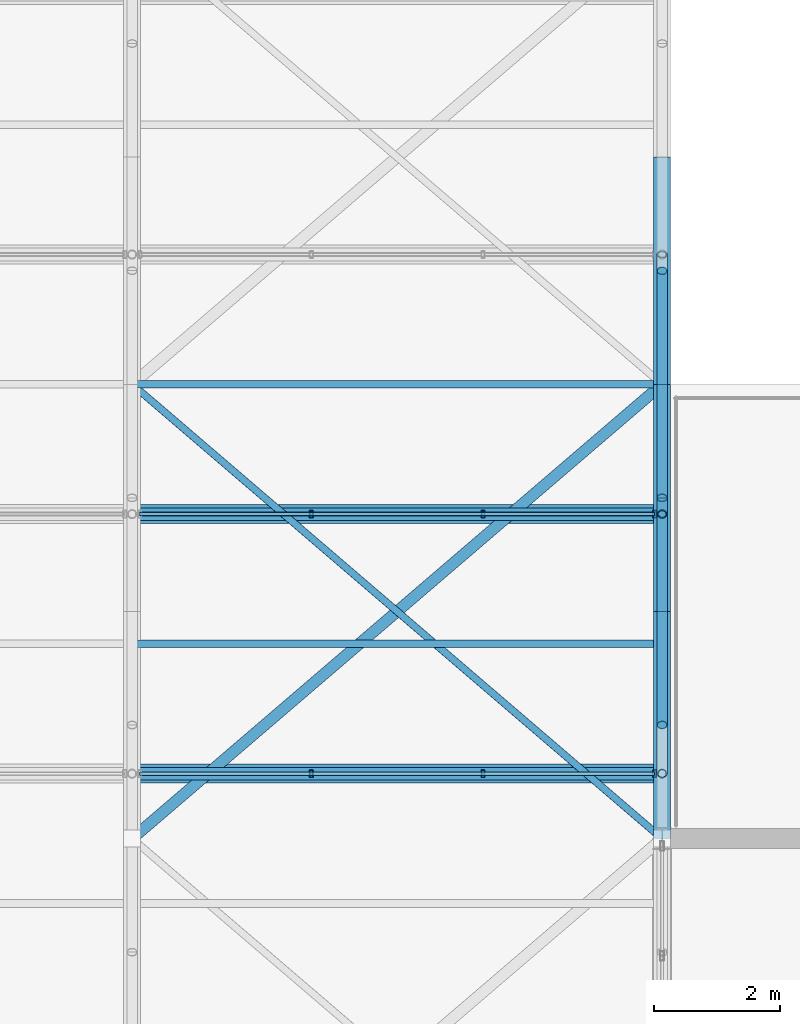
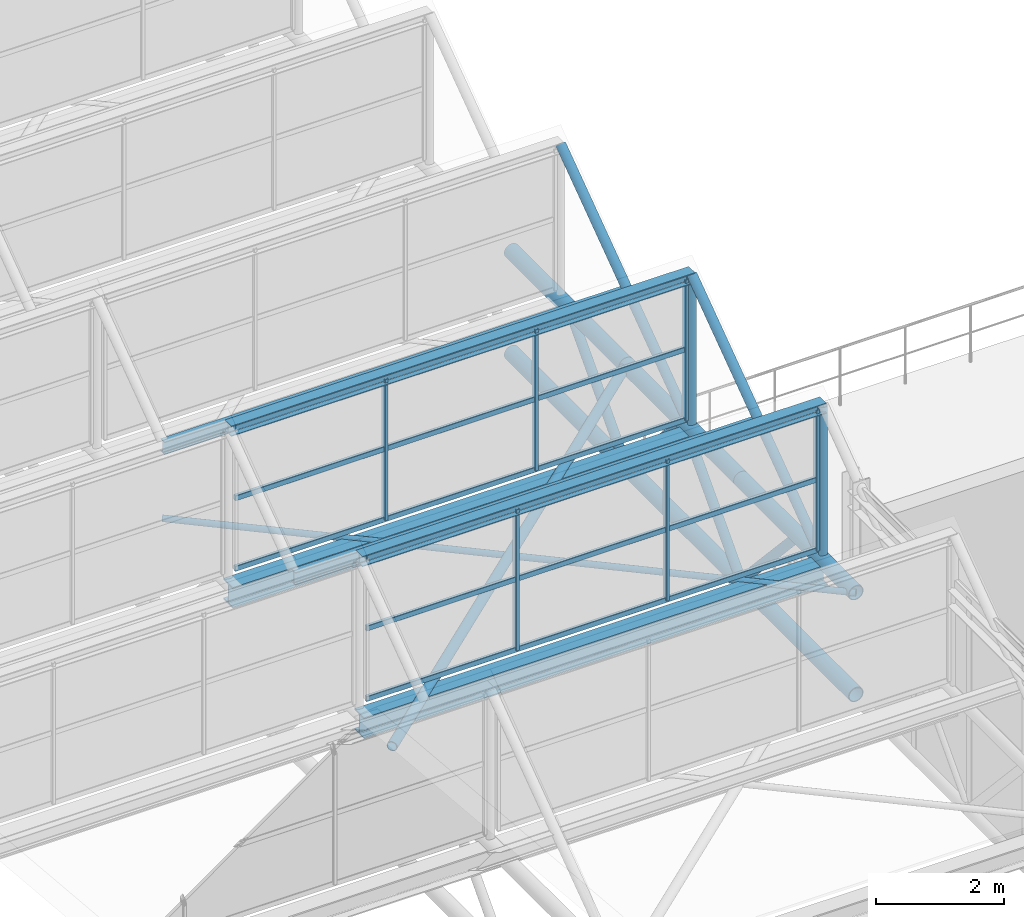
# One storey, part 88 of 134: 28 members, 6 beams, 2 elements without a shape of their own.
"""IFC4 building model written with IfcOpenShell, lengths in metres."""

from ifc_helpers import new_model, si_unit, derived_unit, direction, frame, origin, origin_2d, place, context, subcontext, project, spatial, hollow_rectangle, hollow_circle, i_section, extrude, material, material_profile, profile_set, type_object, element, aggregate, save


model = new_model("IFC4")

# Units and contexts
model_context = context("Model", 3, precision=1e-05, world=origin(), true_north=direction((0.0, 1.0)))
body_context = subcontext(model_context, "Body", "Model", "MODEL_VIEW")
ifc_project = project(units=[si_unit("LENGTHUNIT", "METRE"), si_unit("AREAUNIT", "SQUARE_METRE"), si_unit("VOLUMEUNIT", "CUBIC_METRE"), si_unit("PLANEANGLEUNIT", "RADIAN"), si_unit("MASSUNIT", "GRAM", prefix="KILO"), derived_unit("THERMALTRANSMITTANCEUNIT", [(si_unit("MASSUNIT", "GRAM", prefix="KILO"), 1), (si_unit("TIMEUNIT", "SECOND"), -3), (si_unit("THERMODYNAMICTEMPERATUREUNIT", "KELVIN"), -1)])], contexts=[model_context])

# Site, building, storey
site_placement = place(None, origin())
site = spatial("IfcSite", under=ifc_project, at=site_placement, CompositionType="ELEMENT")
building_placement = place(site_placement, origin())
building = spatial("IfcBuilding", under=site, at=building_placement, Name="Kharveza Railside Sports Centre", CompositionType="ELEMENT")
storey_placement = place(building_placement, frame((0.0, 0.0, 12.89990234375)))
storey = spatial("IfcBuildingStorey", under=building, at=storey_placement, Name="L03", CompositionType="ELEMENT", Elevation=12.89990234375)

# Beams
ifc_material_1 = material(Name="Steel S355J2", Category="steel")
ifc_material_profile_1 = material_profile(ifc_material_1, i_section(OverallWidth=0.300048828125, OverallDepth=0.39990234375, WebThickness=0.013427734375, FlangeThickness=0.02392578125, FilletRadius=0.027099609375, at=origin_2d()), Name="HEB 400")
ifc_profile_set_1 = profile_set([ifc_material_profile_1], Name="Steel S355J2")
beam_type_1 = type_object("IfcBeamType", Name="BM-G07", PredefinedType="T_BEAM", material=ifc_profile_set_1)
for number, where, z_axis, x_axis, name in (
    (1, (134.39990234375, 87.4287109375, 1.760009765625), (1.0, 0.0, 0.0), (0.0, 1.0, 0.0), "BM-V2SAW-VAL-3-6"),
    (2, (134.39990234375, 91.54296875, 1.760009765625), (1.0, 0.0, 0.0), (0.0, 1.0, 0.0), "BM-V2SAW-VAL-4-6"),
):
    element("IfcBeam", number, at=place(storey_placement, frame(where, z_axis=z_axis, x_axis=x_axis)), inside=storey, type_object=beam_type_1, Name=name, PredefinedType="T_BEAM", context=body_context, shape_type="SweptSolid", body=[
        extrude(i_section(OverallWidth=0.300048828125, OverallDepth=0.39990234375, WebThickness=0.013427734375, FlangeThickness=0.02392578125, FilletRadius=0.027099609375, at=origin_2d()), origin(), (0.0, 0.0, 1.0), 8.400146484375),
    ])
ifc_material_2 = material(Name="Steel S275JR", Category="steel")
ifc_material_profile_2 = material_profile(ifc_material_2, i_section(OverallWidth=0.1201171875, OverallDepth=0.239990234375, WebThickness=0.006103515625, FlangeThickness=0.009765625, FilletRadius=0.014892578125, at=origin_2d()), Name="IPE 240")
ifc_profile_set_2 = profile_set([ifc_material_profile_2], Name="Steel S275JR")
beam_type_2 = type_object("IfcBeamType", Name="BM-J01", PredefinedType="JOIST", material=ifc_profile_set_2)
for number, where, z_axis, x_axis, name in (
    (3, (134.39990234375, 89.485595703125, 3.320068359375), (1.0, 0.0, 0.0), (0.0, 1.0, 0.0), "BM-V2SAW-PUR-3-6"),
    (4, (134.39990234375, 93.60009765625, 3.320068359375), (1.0, 0.0, 0.0), (0.0, 1.0, 0.0), "BM-V2SAW-PUR-4-6"),
):
    element("IfcBeam", number, at=place(storey_placement, frame(where, z_axis=z_axis, x_axis=x_axis)), inside=storey, type_object=beam_type_2, Name=name, PredefinedType="JOIST", context=body_context, shape_type="SweptSolid", body=[
        extrude(i_section(OverallWidth=0.1201171875, OverallDepth=0.239990234375, WebThickness=0.006103515625, FlangeThickness=0.009765625, FilletRadius=0.014892578125, at=origin_2d()), origin(), (0.0, 0.0, 1.0), 8.400146484375),
    ])
ifc_material_profile_3 = material_profile(ifc_material_2, i_section(OverallWidth=0.199951171875, OverallDepth=0.199951171875, WebThickness=0.009033203125, FlangeThickness=0.014892578125, FilletRadius=0.01806640625, at=origin_2d()), Name="HEB 200")
ifc_profile_set_3 = profile_set([ifc_material_profile_3], Name="Steel S275JR")
beam_type_3 = type_object("IfcBeamType", Name="BM-J05", PredefinedType="JOIST", material=ifc_profile_set_3)
for number, where, z_axis, x_axis, name in (
    (5, (134.39990234375, 87.4287109375, 4.920166015625), (1.0, 0.0, 0.0), (0.0, 1.0, 0.0), "BM-V2SAW-RDG-2-6"),
    (6, (134.39990234375, 91.54296875, 4.920166015625), (1.0, 0.0, 0.0), (0.0, 1.0, 0.0), "BM-V2SAW-RDG-3-6"),
):
    element("IfcBeam", number, at=place(storey_placement, frame(where, z_axis=z_axis, x_axis=x_axis)), inside=storey, type_object=beam_type_3, Name=name, PredefinedType="JOIST", context=body_context, shape_type="SweptSolid", body=[
        extrude(i_section(OverallWidth=0.199951171875, OverallDepth=0.199951171875, WebThickness=0.009033203125, FlangeThickness=0.014892578125, FilletRadius=0.01806640625, at=origin_2d()), origin(), (0.0, 0.0, 1.0), 8.400146484375),
    ])

# Curtain wall, members
ifc_material_3 = material(Name="Low-E solar-control laminated glass", Category="glass")
curtain_wall_type = type_object("IfcCurtainWallType", Name="CW-NL02", PredefinedType="NOTDEFINED", material=ifc_material_3)
curtain_wall_1_placement = place(storey_placement, origin())
curtain_wall_1 = element("IfcCurtainWall", 7, at=curtain_wall_1_placement, inside=storey, type_object=curtain_wall_type, Name="CW-V2NL-2-6", PredefinedType="NOTDEFINED")
ifc_material_4 = material(Name="Anodised aluminium 6063-T6", Category="aluminium")
ifc_material_profile_4 = material_profile(ifc_material_4, hollow_rectangle(XDim=0.06005859375, YDim=0.1201171875, WallThickness=0.0048828125, InnerFilletRadius=0.0048828125, OuterFilletRadius=0.010009765625, at=origin_2d()), Name="RHS 60x120x5.0")
ifc_profile_set_4 = profile_set([ifc_material_profile_4], Name="Anodised aluminium 6063-T6")
member_type_1 = type_object("IfcMemberType", Name="CW-ML05", PredefinedType="MULLION", material=ifc_profile_set_4)
member_1_placement = place(storey_placement, frame((137.239990234375, 87.4287109375, 2.2001953125), z_axis=(0.0, 0.0, 1.0), x_axis=(1.0, 0.0, 0.0)))
member_1 = element("IfcMember", 8, at=member_1_placement, type_object=member_type_1, Name="CW-V2NL-2-6-ML2", PredefinedType="MULLION", context=body_context, shape_type="SweptSolid", body=[
    extrude(hollow_rectangle(XDim=0.06005859375, YDim=0.1201171875, WallThickness=0.0048828125, InnerFilletRadius=0.0048828125, OuterFilletRadius=0.010009765625, at=origin_2d()), origin(), (0.0, 0.0, 1.0), 2.699951171875),
])
member_2_placement = place(storey_placement, frame((139.9599609375, 87.4287109375, 2.2001953125), z_axis=(0.0, 0.0, 1.0), x_axis=(1.0, 0.0, 0.0)))
member_2 = element("IfcMember", 9, at=member_2_placement, type_object=member_type_1, Name="CW-V2NL-2-6-ML3", PredefinedType="MULLION", context=body_context, shape_type="SweptSolid", body=[
    extrude(hollow_rectangle(XDim=0.06005859375, YDim=0.1201171875, WallThickness=0.0048828125, InnerFilletRadius=0.0048828125, OuterFilletRadius=0.010009765625, at=origin_2d()), origin(), (0.0, 0.0, 1.0), 2.699951171875),
])
member_3_placement = place(storey_placement, frame((142.679931640625, 87.4287109375, 2.2001953125), z_axis=(0.0, 0.0, 1.0), x_axis=(1.0, 0.0, 0.0)))
member_3 = element("IfcMember", 10, at=member_3_placement, type_object=member_type_1, Name="CW-V2NL-2-6-ML4", PredefinedType="MULLION", context=body_context, shape_type="SweptSolid", body=[
    extrude(hollow_rectangle(XDim=0.06005859375, YDim=0.1201171875, WallThickness=0.0048828125, InnerFilletRadius=0.0048828125, OuterFilletRadius=0.010009765625, at=origin_2d()), origin(), (0.0, 0.0, 1.0), 2.699951171875),
])

curtain_wall_2_placement = place(storey_placement, origin())
curtain_wall_2 = element("IfcCurtainWall", 11, at=curtain_wall_2_placement, inside=storey, type_object=curtain_wall_type, Name="CW-V2NL-3-6", PredefinedType="NOTDEFINED")
member_4_placement = place(storey_placement, frame((137.239990234375, 91.54296875, 2.2001953125), z_axis=(0.0, 0.0, 1.0), x_axis=(1.0, 0.0, 0.0)))
member_4 = element("IfcMember", 12, at=member_4_placement, type_object=member_type_1, Name="CW-V2NL-3-6-ML2", PredefinedType="MULLION", context=body_context, shape_type="SweptSolid", body=[
    extrude(hollow_rectangle(XDim=0.06005859375, YDim=0.1201171875, WallThickness=0.0048828125, InnerFilletRadius=0.0048828125, OuterFilletRadius=0.010009765625, at=origin_2d()), origin(), (0.0, 0.0, 1.0), 2.699951171875),
])
member_5_placement = place(storey_placement, frame((139.9599609375, 91.54296875, 2.2001953125), z_axis=(0.0, 0.0, 1.0), x_axis=(1.0, 0.0, 0.0)))
member_5 = element("IfcMember", 13, at=member_5_placement, type_object=member_type_1, Name="CW-V2NL-3-6-ML3", PredefinedType="MULLION", context=body_context, shape_type="SweptSolid", body=[
    extrude(hollow_rectangle(XDim=0.06005859375, YDim=0.1201171875, WallThickness=0.0048828125, InnerFilletRadius=0.0048828125, OuterFilletRadius=0.010009765625, at=origin_2d()), origin(), (0.0, 0.0, 1.0), 2.699951171875),
])
member_6_placement = place(storey_placement, frame((142.679931640625, 91.54296875, 2.2001953125), z_axis=(0.0, 0.0, 1.0), x_axis=(1.0, 0.0, 0.0)))
member_6 = element("IfcMember", 14, at=member_6_placement, type_object=member_type_1, Name="CW-V2NL-3-6-ML4", PredefinedType="MULLION", context=body_context, shape_type="SweptSolid", body=[
    extrude(hollow_rectangle(XDim=0.06005859375, YDim=0.1201171875, WallThickness=0.0048828125, InnerFilletRadius=0.0048828125, OuterFilletRadius=0.010009765625, at=origin_2d()), origin(), (0.0, 0.0, 1.0), 2.699951171875),
])

# Member
ifc_material_profile_5 = material_profile(ifc_material_4, hollow_rectangle(XDim=0.06005859375, YDim=0.10009765625, WallThickness=0.00390625, InnerFilletRadius=0.00390625, OuterFilletRadius=0.008056640625, at=origin_2d()), Name="RHS 60x100x4.0")
ifc_profile_set_5 = profile_set([ifc_material_profile_5], Name="Anodised aluminium 6063-T6")
member_type_2 = type_object("IfcMemberType", Name="CW-TR05", PredefinedType="USERDEFINED", material=ifc_profile_set_5)
member_7_placement = place(storey_placement, frame((134.52001953125, 87.4287109375, 2.2001953125), z_axis=(1.0, 0.0, 0.0), x_axis=(0.0, 1.0, 0.0)))
member_7 = element("IfcMember", 15, at=member_7_placement, type_object=member_type_2, Name="CW-V2NL-2-6-TR1", ObjectType="TRANSOM", PredefinedType="USERDEFINED", context=body_context, shape_type="SweptSolid", body=[
    extrude(hollow_rectangle(XDim=0.06005859375, YDim=0.10009765625, WallThickness=0.00390625, InnerFilletRadius=0.00390625, OuterFilletRadius=0.008056640625, at=origin_2d()), origin(), (0.0, 0.0, 1.0), 8.159912109375),
])

member_8_placement = place(storey_placement, frame((134.52001953125, 87.4287109375, 3.550048828125), z_axis=(1.0, 0.0, 0.0), x_axis=(0.0, 1.0, 0.0)))
member_8 = element("IfcMember", 16, at=member_8_placement, type_object=member_type_2, Name="CW-V2NL-2-6-TR2", ObjectType="TRANSOM", PredefinedType="USERDEFINED", context=body_context, shape_type="SweptSolid", body=[
    extrude(hollow_rectangle(XDim=0.06005859375, YDim=0.10009765625, WallThickness=0.00390625, InnerFilletRadius=0.00390625, OuterFilletRadius=0.008056640625, at=origin_2d()), origin(), (0.0, 0.0, 1.0), 8.159912109375),
])

member_9_placement = place(storey_placement, frame((134.52001953125, 87.4287109375, 4.900146484375), z_axis=(1.0, 0.0, 0.0), x_axis=(0.0, 1.0, 0.0)))
member_9 = element("IfcMember", 17, at=member_9_placement, type_object=member_type_2, Name="CW-V2NL-2-6-TR3", ObjectType="TRANSOM", PredefinedType="USERDEFINED", context=body_context, shape_type="SweptSolid", body=[
    extrude(hollow_rectangle(XDim=0.06005859375, YDim=0.10009765625, WallThickness=0.00390625, InnerFilletRadius=0.00390625, OuterFilletRadius=0.008056640625, at=origin_2d()), origin(), (0.0, 0.0, 1.0), 8.159912109375),
])

aggregate(curtain_wall_1, [member_1, member_2, member_3, member_7, member_8, member_9])

member_10_placement = place(storey_placement, frame((134.52001953125, 91.54296875, 2.2001953125), z_axis=(1.0, 0.0, 0.0), x_axis=(0.0, 1.0, 0.0)))
member_10 = element("IfcMember", 18, at=member_10_placement, type_object=member_type_2, Name="CW-V2NL-3-6-TR1", ObjectType="TRANSOM", PredefinedType="USERDEFINED", context=body_context, shape_type="SweptSolid", body=[
    extrude(hollow_rectangle(XDim=0.06005859375, YDim=0.10009765625, WallThickness=0.00390625, InnerFilletRadius=0.00390625, OuterFilletRadius=0.008056640625, at=origin_2d()), origin(), (0.0, 0.0, 1.0), 8.159912109375),
])

member_11_placement = place(storey_placement, frame((134.52001953125, 91.54296875, 3.550048828125), z_axis=(1.0, 0.0, 0.0), x_axis=(0.0, 1.0, 0.0)))
member_11 = element("IfcMember", 19, at=member_11_placement, type_object=member_type_2, Name="CW-V2NL-3-6-TR2", ObjectType="TRANSOM", PredefinedType="USERDEFINED", context=body_context, shape_type="SweptSolid", body=[
    extrude(hollow_rectangle(XDim=0.06005859375, YDim=0.10009765625, WallThickness=0.00390625, InnerFilletRadius=0.00390625, OuterFilletRadius=0.008056640625, at=origin_2d()), origin(), (0.0, 0.0, 1.0), 8.159912109375),
])

member_12_placement = place(storey_placement, frame((134.52001953125, 91.54296875, 4.900146484375), z_axis=(1.0, 0.0, 0.0), x_axis=(0.0, 1.0, 0.0)))
member_12 = element("IfcMember", 20, at=member_12_placement, type_object=member_type_2, Name="CW-V2NL-3-6-TR3", ObjectType="TRANSOM", PredefinedType="USERDEFINED", context=body_context, shape_type="SweptSolid", body=[
    extrude(hollow_rectangle(XDim=0.06005859375, YDim=0.10009765625, WallThickness=0.00390625, InnerFilletRadius=0.00390625, OuterFilletRadius=0.008056640625, at=origin_2d()), origin(), (0.0, 0.0, 1.0), 8.159912109375),
])

aggregate(curtain_wall_2, [member_4, member_5, member_6, member_10, member_11, member_12])

# Members
ifc_material_profile_6 = material_profile(ifc_material_1, hollow_circle(Radius=0.0888671875, WallThickness=0.010009765625, at=origin_2d()), Name="CHS 177.8x10.0")
ifc_profile_set_6 = profile_set([ifc_material_profile_6], Name="Steel S355J2")
member_type_3 = type_object("IfcMemberType", Name="MB-BR03", PredefinedType="BRACE", material=ifc_profile_set_6)
member_13_placement = place(storey_placement, frame((134.39990234375, 86.39990234375, 1.9501953125), z_axis=(0.759253487039, 0.650795007986, 0.0), x_axis=(-0.650795007986, 0.759253487039, 0.0)))
element("IfcMember", 21, at=member_13_placement, inside=storey, type_object=member_type_3, Name="MB-ROOFBR-V2-6-2A", PredefinedType="BRACE", context=body_context, shape_type="SweptSolid", body=[
    extrude(hollow_circle(Radius=0.0888671875, WallThickness=0.010009765625, at=origin_2d()), origin(), (0.0, 0.0, 1.0), 11.063720703125),
])
ifc_material_profile_7 = material_profile(ifc_material_2, hollow_circle(Radius=0.05712890625, WallThickness=0.00634765625, at=origin_2d()), Name="CHS 114.3x6.3")
ifc_profile_set_7 = profile_set([ifc_material_profile_7], Name="Steel S275JR")
member_type_4 = type_object("IfcMemberType", Name="MB-BR04", PredefinedType="BRACE", material=ifc_profile_set_7)
member_14_placement = place(storey_placement, frame((142.800048828125, 86.39990234375, 1.9501953125), z_axis=(-0.759253487039, 0.650795007986, 0.0), x_axis=(-0.650795007986, -0.759253487039, 0.0)))
element("IfcMember", 22, at=member_14_placement, inside=storey, type_object=member_type_4, Name="MB-ROOFBR-V2-6-2B", PredefinedType="BRACE", context=body_context, shape_type="SweptSolid", body=[
    extrude(hollow_circle(Radius=0.05712890625, WallThickness=0.00634765625, at=origin_2d()), origin(), (0.0, 0.0, 1.0), 11.063720703125),
])
ifc_material_profile_8 = material_profile(ifc_material_1, hollow_circle(Radius=0.136474609375, WallThickness=0.01416015625, at=origin_2d()), Name="CHS 273.0x14.2")
ifc_profile_set_8 = profile_set([ifc_material_profile_8], Name="Steel S355J2")
member_type_5 = type_object("IfcMemberType", Name="MB-CH03", PredefinedType="CHORD", material=ifc_profile_set_8)
for number, where, z_axis, x_axis, name in (
    (23, (142.800048828125, 86.39990234375, 0.0), (0.0, 1.0, 0.0), (-1.0, 0.0, 0.0), "MB-V2TR-BC-7-3"),
    (24, (142.800048828125, 86.39990234375, 1.9501953125), (0.0, 1.0, 0.0), (-1.0, 0.0, 0.0), "MB-V2TR-TC-7-3"),
    (25, (142.800048828125, 90.0, 0.0), (0.0, 1.0, 0.0), (-1.0, 0.0, 0.0), "MB-V2TR-BC-7-4"),
    (26, (142.800048828125, 90.0, 1.9501953125), (0.0, 1.0, 0.0), (-1.0, 0.0, 0.0), "MB-V2TR-TC-7-4"),
):
    element("IfcMember", number, at=place(storey_placement, frame(where, z_axis=z_axis, x_axis=x_axis)), inside=storey, type_object=member_type_5, Name=name, PredefinedType="CHORD", context=body_context, shape_type="SweptSolid", body=[
        extrude(hollow_circle(Radius=0.136474609375, WallThickness=0.01416015625, at=origin_2d()), origin(), (0.0, 0.0, 1.0), 3.60009765625),
    ])
for number, where, z_axis, x_axis, name in (
    (27, (142.800048828125, 93.60009765625, 0.0), (0.0, 1.0, 0.0), (-1.0, 0.0, 0.0), "MB-V2TR-BC-7-5"),
    (28, (142.800048828125, 93.60009765625, 1.9501953125), (0.0, 1.0, 0.0), (-1.0, 0.0, 0.0), "MB-V2TR-TC-7-5"),
):
    element("IfcMember", number, at=place(storey_placement, frame(where, z_axis=z_axis, x_axis=x_axis)), inside=storey, type_object=member_type_5, Name=name, PredefinedType="CHORD", context=body_context, shape_type="SweptSolid", body=[
        extrude(hollow_circle(Radius=0.136474609375, WallThickness=0.01416015625, at=origin_2d()), origin(), (0.0, 0.0, 1.0), 3.599853515625),
    ])
ifc_material_profile_9 = material_profile(ifc_material_1, hollow_circle(Radius=0.084228515625, WallThickness=0.010009765625, at=origin_2d()), Name="CHS 168.3x10.0")
ifc_profile_set_9 = profile_set([ifc_material_profile_9], Name="Steel S355J2")
member_type_6 = type_object("IfcMemberType", Name="MB-ST03", PredefinedType="STRUT", material=ifc_profile_set_9)
for number, where, z_axis, x_axis, name in (
    (29, (142.800048828125, 88.199951171875, 1.9501953125), (0.0, 0.67825335715, -0.734828131956), (-1.0, 0.0, 0.0), "MB-V2TR-D2-7-3"),
    (30, (142.800048828125, 90.0, 0.0), (0.0, 0.67825335715, 0.734828131956), (-1.0, 0.0, 0.0), "MB-V2TR-D1-7-4"),
    (31, (142.800048828125, 91.800048828125, 1.9501953125), (0.0, 0.67825335715, -0.734828131956), (-1.0, 0.0, 0.0), "MB-V2TR-D2-7-4"),
):
    element("IfcMember", number, at=place(storey_placement, frame(where, z_axis=z_axis, x_axis=x_axis)), inside=storey, type_object=member_type_6, Name=name, PredefinedType="STRUT", context=body_context, shape_type="SweptSolid", body=[
        extrude(hollow_circle(Radius=0.084228515625, WallThickness=0.010009765625, at=origin_2d()), origin(), (0.0, 0.0, 1.0), 2.654052734375),
    ])
member_15_placement = place(storey_placement, frame((142.800048828125, 93.60009765625, 0.0), z_axis=(0.0, 0.678203679629, 0.734873981671), x_axis=(-1.0, 0.0, 0.0)))
element("IfcMember", 32, at=member_15_placement, inside=storey, type_object=member_type_6, Name="MB-V2TR-D1-7-5", PredefinedType="STRUT", context=body_context, shape_type="SweptSolid", body=[
    extrude(hollow_circle(Radius=0.084228515625, WallThickness=0.010009765625, at=origin_2d()), origin(), (0.0, 0.0, 1.0), 2.65380859375),
])
member_16_placement = place(storey_placement, frame((142.800048828125, 87.4287109375, 1.9501953125), z_axis=(0.0, 0.810813691418, 0.585304329225), x_axis=(-1.0, 0.0, 0.0)))
element("IfcMember", 33, at=member_16_placement, inside=storey, type_object=member_type_6, Name="MB-V2SAW-RFT-3-7", PredefinedType="STRUT", context=body_context, shape_type="SweptSolid", body=[
    extrude(hollow_circle(Radius=0.084228515625, WallThickness=0.010009765625, at=origin_2d()), origin(), (0.0, 0.0, 1.0), 5.07421875),
])
member_17_placement = place(storey_placement, frame((142.800048828125, 91.54296875, 1.9501953125), z_axis=(0.0, 0.810797207573, 0.585327163381), x_axis=(-1.0, 0.0, 0.0)))
element("IfcMember", 34, at=member_17_placement, inside=storey, type_object=member_type_6, Name="MB-V2SAW-RFT-4-7", PredefinedType="STRUT", context=body_context, shape_type="SweptSolid", body=[
    extrude(hollow_circle(Radius=0.084228515625, WallThickness=0.010009765625, at=origin_2d()), origin(), (0.0, 0.0, 1.0), 5.073974609375),
])
ifc_material_profile_10 = material_profile(ifc_material_1, hollow_circle(Radius=0.06982421875, WallThickness=0.008056640625, at=origin_2d()), Name="CHS 139.7x8.0")
ifc_profile_set_10 = profile_set([ifc_material_profile_10], Name="Steel S355J2")
member_type_7 = type_object("IfcMemberType", Name="MB-ST04", PredefinedType="STRUT", material=ifc_profile_set_10)
for number, where, z_axis, x_axis, name in (
    (35, (142.800048828125, 87.4287109375, 1.9501953125), (0.0, 0.0, 1.0), (1.0, 0.0, 0.0), "MB-V2SAW-PST-2-7"),
    (36, (142.800048828125, 91.54296875, 1.9501953125), (0.0, 0.0, 1.0), (1.0, 0.0, 0.0), "MB-V2SAW-PST-3-7"),
):
    element("IfcMember", number, at=place(storey_placement, frame(where, z_axis=z_axis, x_axis=x_axis)), inside=storey, type_object=member_type_7, Name=name, PredefinedType="STRUT", context=body_context, shape_type="SweptSolid", body=[
        extrude(hollow_circle(Radius=0.06982421875, WallThickness=0.008056640625, at=origin_2d()), origin(), (0.0, 0.0, 1.0), 2.969970703125),
    ])

save(model, "model.ifc")
